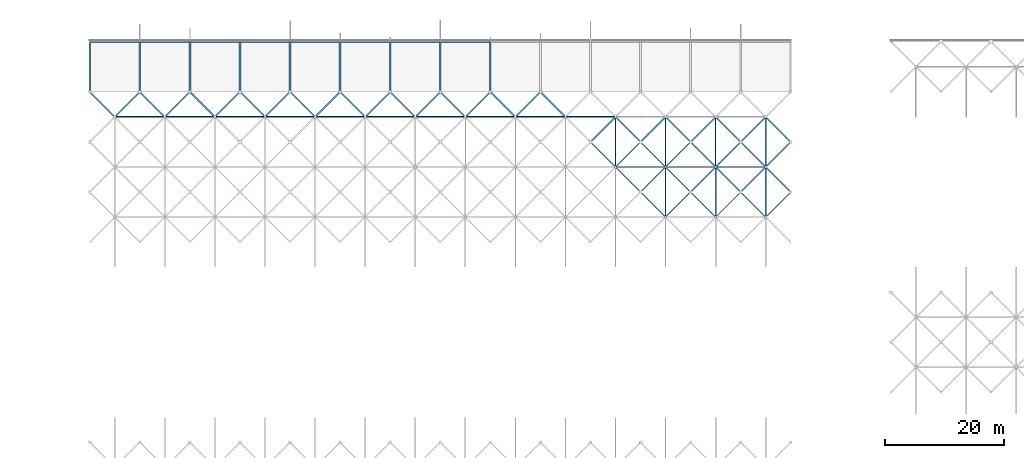
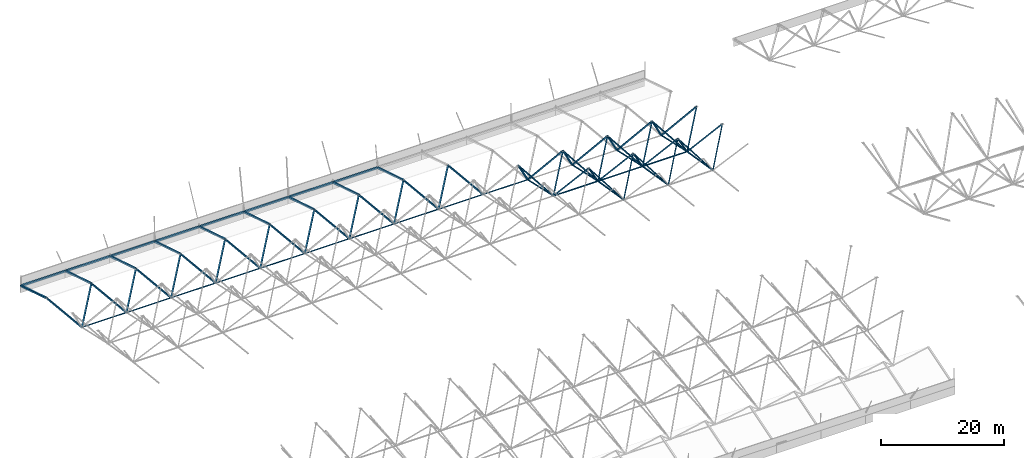
# One storey, part 22 of 85: 85 members.
"""IFC4 building model written with IfcOpenShell, lengths in metres."""

from ifc_helpers import new_model, si_unit, direction, frame, origin, origin_2d, place, context, subcontext, project, spatial, hollow_rectangle, extrude, material, material_profile, profile_set, type_object, element, save


model = new_model("IFC4")

# Units and contexts
model_context = context("Model", 3, precision=1e-05, world=origin(), true_north=direction((0.0, 1.0)))
body_context = subcontext(model_context, "Body", "Model", "MODEL_VIEW")
ifc_project = project(units=[si_unit("LENGTHUNIT", "METRE"), si_unit("AREAUNIT", "SQUARE_METRE"), si_unit("VOLUMEUNIT", "CUBIC_METRE"), si_unit("PLANEANGLEUNIT", "RADIAN"), si_unit("MASSUNIT", "GRAM", prefix="KILO")], contexts=[model_context])

# Site, building, storey
site_placement = place(None, origin())
site = spatial("IfcSite", under=ifc_project, at=site_placement, CompositionType="ELEMENT")
building_placement = place(site_placement, origin())
building = spatial("IfcBuilding", under=site, at=building_placement, Name="Rain Tree Exposition and Congress Centre", CompositionType="ELEMENT")
storey_placement = place(building_placement, frame((0.0, 0.0, 15.0)))
storey = spatial("IfcBuildingStorey", under=building, at=storey_placement, Name="L03", CompositionType="ELEMENT", Elevation=15.0)

# Members
ifc_material_1 = material(Name="Steel S355J2H", Category="steel")
ifc_material_profile_1 = material_profile(ifc_material_1, hollow_rectangle(XDim=0.175048828125, YDim=0.175048828125, WallThickness=0.006103515625, at=origin_2d()), Name="RHS 175x175x6")
ifc_profile_set_1 = profile_set([ifc_material_profile_1], Name="Steel S355J2H")
member_type_1 = type_object("IfcMemberType", Name="Steel brace member RHS 175x175x6", PredefinedType="BRACE", material=ifc_profile_set_1)
for number, where, z_axis, x_axis, name in (
    (1, (105.0, 172.199951171875, 3.974609375), (-0.531205549126, 0.531205549126, 0.660031309223), (-0.707106781187, -0.707106781187, 0.0), "Diagonal 1095"),
    (2, (105.0, 172.199951171875, 3.974609375), (0.531205549126, 0.531205549126, 0.660031309223), (-0.707106781187, 0.707106781187, 0.0), "Diagonal 1096"),
    (3, (113.39990234375, 172.199951171875, 3.974609375), (-0.531205549126, 0.531205549126, 0.660031309223), (-0.707106781187, -0.707106781187, 0.0), "Diagonal 1101"),
    (4, (113.39990234375, 172.199951171875, 3.974609375), (0.531227713919, 0.531196835768, 0.660020482738), (-0.70708622964, 0.707127332136, 0.0), "Diagonal 1102"),
    (5, (121.800048828125, 172.199951171875, 3.974609375), (-0.531205549126, 0.531205549126, 0.660031309223), (-0.707106781187, -0.707106781187, 0.0), "Diagonal 1107"),
    (6, (121.800048828125, 172.199951171875, 3.974609375), (0.531205549126, 0.531205549126, 0.660031309223), (-0.707106781187, 0.707106781187, 0.0), "Diagonal 1108"),
):
    element("IfcMember", number, at=place(storey_placement, frame(where, z_axis=z_axis, x_axis=x_axis)), inside=storey, type_object=member_type_1, Name=name, PredefinedType="BRACE", context=body_context, shape_type="SweptSolid", body=[
        extrude(hollow_rectangle(XDim=0.175048828125, YDim=0.175048828125, WallThickness=0.006103515625, at=origin_2d()), origin(), (0.0, 0.0, 1.0), 7.906494140625),
    ])
ifc_material_2 = material(Name="Steel S355J2H", Category="steel")
ifc_material_profile_2 = material_profile(ifc_material_2, hollow_rectangle(XDim=0.199951171875, YDim=0.199951171875, WallThickness=0.009033203125, at=origin_2d()), Name="RHS 200x200x9")
ifc_profile_set_2 = profile_set([ifc_material_profile_2], Name="Steel S355J2H")
member_type_2 = type_object("IfcMemberType", Name="Steel brace member RHS 200x200x9", PredefinedType="BRACE", material=ifc_profile_set_2)
member_1_placement = place(storey_placement, frame((96.60009765625, 180.60009765625, 2.593505859375), z_axis=(0.473022442189, -0.473049938698, 0.743285627928), x_axis=(0.707127332136, 0.70708622964, 0.0)))
element("IfcMember", 7, at=member_1_placement, inside=storey, type_object=member_type_2, Name="Diagonal 1171", PredefinedType="BRACE", context=body_context, shape_type="SweptSolid", body=[
    extrude(hollow_rectangle(XDim=0.199951171875, YDim=0.199951171875, WallThickness=0.009033203125, at=origin_2d()), origin(), (0.0, 0.0, 1.0), 8.87890625),
])
member_2_placement = place(storey_placement, frame((96.60009765625, 180.60009765625, 2.593505859375), z_axis=(-0.541842377579, 0.54181088244, 0.642532338119), x_axis=(-0.70708622964, -0.707127332136, 0.0)))
element("IfcMember", 8, at=member_2_placement, inside=storey, type_object=member_type_2, Name="Diagonal 1172", PredefinedType="BRACE", context=body_context, shape_type="SweptSolid", body=[
    extrude(hollow_rectangle(XDim=0.199951171875, YDim=0.199951171875, WallThickness=0.009033203125, at=origin_2d()), origin(), (0.0, 0.0, 1.0), 7.751708984375),
])
member_3_placement = place(storey_placement, frame((96.60009765625, 180.60009765625, 2.593505859375), z_axis=(0.541820128628, 0.541820128628, 0.642543303153), x_axis=(-0.707106781187, 0.707106781187, 0.0)))
element("IfcMember", 9, at=member_3_placement, inside=storey, type_object=member_type_2, Name="Diagonal 1173", PredefinedType="BRACE", context=body_context, shape_type="SweptSolid", body=[
    extrude(hollow_rectangle(XDim=0.199951171875, YDim=0.199951171875, WallThickness=0.009033203125, at=origin_2d()), origin(), (0.0, 0.0, 1.0), 7.75146484375),
])
for number, where, z_axis, x_axis, name in (
    (10, (105.0, 180.60009765625, 2.593505859375), (-0.473022442189, -0.473049938698, 0.743285627928), (0.707127332136, -0.70708622964, 0.0), "Diagonal 1176"),
    (11, (105.0, 180.60009765625, 2.593505859375), (0.473022442189, -0.473049938698, 0.743285627928), (0.707127332136, 0.70708622964, 0.0), "Diagonal 1177"),
):
    element("IfcMember", number, at=place(storey_placement, frame(where, z_axis=z_axis, x_axis=x_axis)), inside=storey, type_object=member_type_2, Name=name, PredefinedType="BRACE", context=body_context, shape_type="SweptSolid", body=[
        extrude(hollow_rectangle(XDim=0.199951171875, YDim=0.199951171875, WallThickness=0.009033203125, at=origin_2d()), origin(), (0.0, 0.0, 1.0), 8.87890625),
    ])
for number, where, z_axis, x_axis, name in (
    (12, (105.0, 180.60009765625, 2.593505859375), (-0.541820128628, 0.541820128628, 0.642543303153), (-0.707106781187, -0.707106781187, 0.0), "Diagonal 1178"),
    (13, (105.0, 180.60009765625, 2.593505859375), (0.541820128628, 0.541820128628, 0.642543303153), (-0.707106781187, 0.707106781187, 0.0), "Diagonal 1179"),
):
    element("IfcMember", number, at=place(storey_placement, frame(where, z_axis=z_axis, x_axis=x_axis)), inside=storey, type_object=member_type_2, Name=name, PredefinedType="BRACE", context=body_context, shape_type="SweptSolid", body=[
        extrude(hollow_rectangle(XDim=0.199951171875, YDim=0.199951171875, WallThickness=0.009033203125, at=origin_2d()), origin(), (0.0, 0.0, 1.0), 7.75146484375),
    ])
member_4_placement = place(storey_placement, frame((113.39990234375, 180.60009765625, 2.593505859375), z_axis=(-0.473022442189, -0.473049938698, 0.743285627928), x_axis=(0.707127332136, -0.70708622964, 0.0)))
element("IfcMember", 14, at=member_4_placement, inside=storey, type_object=member_type_2, Name="Diagonal 1182", PredefinedType="BRACE", context=body_context, shape_type="SweptSolid", body=[
    extrude(hollow_rectangle(XDim=0.199951171875, YDim=0.199951171875, WallThickness=0.009033203125, at=origin_2d()), origin(), (0.0, 0.0, 1.0), 8.87890625),
])
member_5_placement = place(storey_placement, frame((113.39990234375, 180.60009765625, 2.593505859375), z_axis=(0.473043785931, -0.473043785931, 0.743275960316), x_axis=(0.707106781187, 0.707106781187, 0.0)))
element("IfcMember", 15, at=member_5_placement, inside=storey, type_object=member_type_2, Name="Diagonal 1183", PredefinedType="BRACE", context=body_context, shape_type="SweptSolid", body=[
    extrude(hollow_rectangle(XDim=0.199951171875, YDim=0.199951171875, WallThickness=0.009033203125, at=origin_2d()), origin(), (0.0, 0.0, 1.0), 8.879150390625),
])
member_6_placement = place(storey_placement, frame((113.39990234375, 180.60009765625, 2.593505859375), z_axis=(-0.541820128628, 0.541820128628, 0.642543303153), x_axis=(-0.707106781187, -0.707106781187, 0.0)))
element("IfcMember", 16, at=member_6_placement, inside=storey, type_object=member_type_2, Name="Diagonal 1184", PredefinedType="BRACE", context=body_context, shape_type="SweptSolid", body=[
    extrude(hollow_rectangle(XDim=0.199951171875, YDim=0.199951171875, WallThickness=0.009033203125, at=origin_2d()), origin(), (0.0, 0.0, 1.0), 7.75146484375),
])
member_7_placement = place(storey_placement, frame((113.39990234375, 180.60009765625, 2.593505859375), z_axis=(0.541842377579, 0.54181088244, 0.642532338119), x_axis=(-0.70708622964, 0.707127332136, 0.0)))
element("IfcMember", 17, at=member_7_placement, inside=storey, type_object=member_type_2, Name="Diagonal 1185", PredefinedType="BRACE", context=body_context, shape_type="SweptSolid", body=[
    extrude(hollow_rectangle(XDim=0.199951171875, YDim=0.199951171875, WallThickness=0.009033203125, at=origin_2d()), origin(), (0.0, 0.0, 1.0), 7.751708984375),
])
for number, where, z_axis, x_axis, name in (
    (18, (121.800048828125, 180.60009765625, 2.593505859375), (-0.473022442189, -0.473049938698, 0.743285627928), (0.707127332136, -0.70708622964, 0.0), "Diagonal 1188"),
    (19, (121.800048828125, 180.60009765625, 2.593505859375), (0.473022442189, -0.473049938698, 0.743285627928), (0.707127332136, 0.70708622964, 0.0), "Diagonal 1189"),
):
    element("IfcMember", number, at=place(storey_placement, frame(where, z_axis=z_axis, x_axis=x_axis)), inside=storey, type_object=member_type_2, Name=name, PredefinedType="BRACE", context=body_context, shape_type="SweptSolid", body=[
        extrude(hollow_rectangle(XDim=0.199951171875, YDim=0.199951171875, WallThickness=0.009033203125, at=origin_2d()), origin(), (0.0, 0.0, 1.0), 8.87890625),
    ])
for number, where, z_axis, x_axis, name in (
    (20, (121.800048828125, 180.60009765625, 2.593505859375), (-0.541820128628, 0.541820128628, 0.642543303153), (-0.707106781187, -0.707106781187, 0.0), "Diagonal 1190"),
    (21, (121.800048828125, 180.60009765625, 2.593505859375), (0.541820128628, 0.541820128628, 0.642543303153), (-0.707106781187, 0.707106781187, 0.0), "Diagonal 1191"),
):
    element("IfcMember", number, at=place(storey_placement, frame(where, z_axis=z_axis, x_axis=x_axis)), inside=storey, type_object=member_type_2, Name=name, PredefinedType="BRACE", context=body_context, shape_type="SweptSolid", body=[
        extrude(hollow_rectangle(XDim=0.199951171875, YDim=0.199951171875, WallThickness=0.009033203125, at=origin_2d()), origin(), (0.0, 0.0, 1.0), 7.75146484375),
    ])
ifc_material_3 = material(Name="Steel S355J2H", Category="steel")
ifc_material_profile_3 = material_profile(ifc_material_3, hollow_rectangle(XDim=0.25, YDim=0.25, WallThickness=0.006103515625, at=origin_2d()), Name="RHS 250x250x6")
ifc_profile_set_3 = profile_set([ifc_material_profile_3], Name="Steel S355J2H")
member_type_3 = type_object("IfcMemberType", Name="Steel brace member RHS 250x250x6", PredefinedType="BRACE", material=ifc_profile_set_3)
member_8_placement = place(storey_placement, frame((12.60009765625, 189.0, 0.732666015625), z_axis=(-0.552977009953, 0.552944867602, 0.623272332016), x_axis=(-0.70708622964, -0.707127332136, 0.0)))
element("IfcMember", 22, at=member_8_placement, inside=storey, type_object=member_type_3, Name="Diagonal 1195", PredefinedType="BRACE", context=body_context, shape_type="SweptSolid", body=[
    extrude(hollow_rectangle(XDim=0.25, YDim=0.25, WallThickness=0.006103515625, at=origin_2d()), origin(), (0.0, 0.0, 1.0), 7.595703125),
])
for number, where, z_axis, x_axis, name in (
    (23, (12.60009765625, 189.0, 0.732666015625), (0.55295469561, 0.55295469561, 0.62328341002), (-0.707106781187, 0.707106781187, 0.0), "Diagonal 1196"),
    (24, (21.0, 189.0, 0.732666015625), (-0.55295469561, 0.55295469561, 0.62328341002), (-0.707106781187, -0.707106781187, 0.0), "Diagonal 1201"),
    (25, (21.0, 189.0, 0.732666015625), (0.55295469561, 0.55295469561, 0.62328341002), (-0.707106781187, 0.707106781187, 0.0), "Diagonal 1202"),
    (26, (29.39990234375, 189.0, 0.732666015625), (-0.55295469561, 0.55295469561, 0.62328341002), (-0.707106781187, -0.707106781187, 0.0), "Diagonal 1207"),
):
    element("IfcMember", number, at=place(storey_placement, frame(where, z_axis=z_axis, x_axis=x_axis)), inside=storey, type_object=member_type_3, Name=name, PredefinedType="BRACE", context=body_context, shape_type="SweptSolid", body=[
        extrude(hollow_rectangle(XDim=0.25, YDim=0.25, WallThickness=0.006103515625, at=origin_2d()), origin(), (0.0, 0.0, 1.0), 7.595458984375),
    ])
member_9_placement = place(storey_placement, frame((29.39990234375, 189.0, 0.732666015625), z_axis=(0.552977009953, 0.552944867602, 0.623272332016), x_axis=(-0.70708622964, 0.707127332136, 0.0)))
element("IfcMember", 27, at=member_9_placement, inside=storey, type_object=member_type_3, Name="Diagonal 1208", PredefinedType="BRACE", context=body_context, shape_type="SweptSolid", body=[
    extrude(hollow_rectangle(XDim=0.25, YDim=0.25, WallThickness=0.006103515625, at=origin_2d()), origin(), (0.0, 0.0, 1.0), 7.595703125),
])
for number, where, z_axis, x_axis, name in (
    (28, (37.800048828125, 189.0, 0.732666015625), (-0.55295469561, 0.55295469561, 0.62328341002), (-0.707106781187, -0.707106781187, 0.0), "Diagonal 1213"),
    (29, (37.800048828125, 189.0, 0.732666015625), (0.55295469561, 0.55295469561, 0.62328341002), (-0.707106781187, 0.707106781187, 0.0), "Diagonal 1214"),
    (30, (46.199951171875, 189.0, 0.732666015625), (-0.55295469561, 0.55295469561, 0.62328341002), (-0.707106781187, -0.707106781187, 0.0), "Diagonal 1219"),
    (31, (46.199951171875, 189.0, 0.732666015625), (0.55295469561, 0.55295469561, 0.62328341002), (-0.707106781187, 0.707106781187, 0.0), "Diagonal 1220"),
):
    element("IfcMember", number, at=place(storey_placement, frame(where, z_axis=z_axis, x_axis=x_axis)), inside=storey, type_object=member_type_3, Name=name, PredefinedType="BRACE", context=body_context, shape_type="SweptSolid", body=[
        extrude(hollow_rectangle(XDim=0.25, YDim=0.25, WallThickness=0.006103515625, at=origin_2d()), origin(), (0.0, 0.0, 1.0), 7.595458984375),
    ])
member_10_placement = place(storey_placement, frame((54.60009765625, 189.0, 0.732666015625), z_axis=(-0.552977009953, 0.552944867602, 0.623272332016), x_axis=(-0.70708622964, -0.707127332136, 0.0)))
element("IfcMember", 32, at=member_10_placement, inside=storey, type_object=member_type_3, Name="Diagonal 1225", PredefinedType="BRACE", context=body_context, shape_type="SweptSolid", body=[
    extrude(hollow_rectangle(XDim=0.25, YDim=0.25, WallThickness=0.006103515625, at=origin_2d()), origin(), (0.0, 0.0, 1.0), 7.595703125),
])
for number, where, z_axis, x_axis, name in (
    (33, (54.60009765625, 189.0, 0.732666015625), (0.55295469561, 0.55295469561, 0.62328341002), (-0.707106781187, 0.707106781187, 0.0), "Diagonal 1226"),
    (34, (63.0, 189.0, 0.732666015625), (-0.55295469561, 0.55295469561, 0.62328341002), (-0.707106781187, -0.707106781187, 0.0), "Diagonal 1231"),
    (35, (63.0, 189.0, 0.732666015625), (0.55295469561, 0.55295469561, 0.62328341002), (-0.707106781187, 0.707106781187, 0.0), "Diagonal 1232"),
    (36, (71.39990234375, 189.0, 0.732666015625), (-0.55295469561, 0.55295469561, 0.62328341002), (-0.707106781187, -0.707106781187, 0.0), "Diagonal 1237"),
):
    element("IfcMember", number, at=place(storey_placement, frame(where, z_axis=z_axis, x_axis=x_axis)), inside=storey, type_object=member_type_3, Name=name, PredefinedType="BRACE", context=body_context, shape_type="SweptSolid", body=[
        extrude(hollow_rectangle(XDim=0.25, YDim=0.25, WallThickness=0.006103515625, at=origin_2d()), origin(), (0.0, 0.0, 1.0), 7.595458984375),
    ])
member_11_placement = place(storey_placement, frame((71.39990234375, 189.0, 0.732666015625), z_axis=(0.552977009953, 0.552944867602, 0.623272332016), x_axis=(-0.70708622964, 0.707127332136, 0.0)))
element("IfcMember", 37, at=member_11_placement, inside=storey, type_object=member_type_3, Name="Diagonal 1238", PredefinedType="BRACE", context=body_context, shape_type="SweptSolid", body=[
    extrude(hollow_rectangle(XDim=0.25, YDim=0.25, WallThickness=0.006103515625, at=origin_2d()), origin(), (0.0, 0.0, 1.0), 7.595703125),
])
for number, where, z_axis, x_axis, name in (
    (38, (79.800048828125, 189.0, 0.732666015625), (-0.55295469561, 0.55295469561, 0.62328341002), (-0.707106781187, -0.707106781187, 0.0), "Diagonal 1243"),
    (39, (79.800048828125, 189.0, 0.732666015625), (0.55295469561, 0.55295469561, 0.62328341002), (-0.707106781187, 0.707106781187, 0.0), "Diagonal 1244"),
    (40, (88.199951171875, 189.0, 0.732666015625), (-0.55295469561, 0.55295469561, 0.62328341002), (-0.707106781187, -0.707106781187, 0.0), "Diagonal 1249"),
):
    element("IfcMember", number, at=place(storey_placement, frame(where, z_axis=z_axis, x_axis=x_axis)), inside=storey, type_object=member_type_3, Name=name, PredefinedType="BRACE", context=body_context, shape_type="SweptSolid", body=[
        extrude(hollow_rectangle(XDim=0.25, YDim=0.25, WallThickness=0.006103515625, at=origin_2d()), origin(), (0.0, 0.0, 1.0), 7.595458984375),
    ])
member_12_placement = place(storey_placement, frame((96.60009765625, 189.0, 0.732666015625), z_axis=(-0.463585081915, -0.46355813556, 0.755117690682), x_axis=(0.70708622964, -0.707127332136, 0.0)))
element("IfcMember", 41, at=member_12_placement, inside=storey, type_object=member_type_3, Name="Diagonal 1253", PredefinedType="BRACE", context=body_context, shape_type="SweptSolid", body=[
    extrude(hollow_rectangle(XDim=0.25, YDim=0.25, WallThickness=0.006103515625, at=origin_2d()), origin(), (0.0, 0.0, 1.0), 9.060302734375),
])
for number, where, z_axis, x_axis, name in (
    (42, (96.60009765625, 189.0, 0.732666015625), (0.463563926235, -0.463563926235, 0.755127123461), (0.707106781187, 0.707106781187, 0.0), "Diagonal 1254"),
    (43, (105.0, 189.0, 0.732666015625), (-0.463563926235, -0.463563926235, 0.755127123461), (0.707106781187, -0.707106781187, 0.0), "Diagonal 1259"),
    (44, (105.0, 189.0, 0.732666015625), (0.463563926235, -0.463563926235, 0.755127123461), (0.707106781187, 0.707106781187, 0.0), "Diagonal 1260"),
    (45, (113.39990234375, 189.0, 0.732666015625), (-0.463563926235, -0.463563926235, 0.755127123461), (0.707106781187, -0.707106781187, 0.0), "Diagonal 1265"),
):
    element("IfcMember", number, at=place(storey_placement, frame(where, z_axis=z_axis, x_axis=x_axis)), inside=storey, type_object=member_type_3, Name=name, PredefinedType="BRACE", context=body_context, shape_type="SweptSolid", body=[
        extrude(hollow_rectangle(XDim=0.25, YDim=0.25, WallThickness=0.006103515625, at=origin_2d()), origin(), (0.0, 0.0, 1.0), 9.06005859375),
    ])
member_13_placement = place(storey_placement, frame((113.39990234375, 189.0, 0.732666015625), z_axis=(0.463585081915, -0.46355813556, 0.755117690682), x_axis=(0.70708622964, 0.707127332136, 0.0)))
element("IfcMember", 46, at=member_13_placement, inside=storey, type_object=member_type_3, Name="Diagonal 1266", PredefinedType="BRACE", context=body_context, shape_type="SweptSolid", body=[
    extrude(hollow_rectangle(XDim=0.25, YDim=0.25, WallThickness=0.006103515625, at=origin_2d()), origin(), (0.0, 0.0, 1.0), 9.060302734375),
])
for number, where, z_axis, x_axis, name in (
    (47, (121.800048828125, 189.0, 0.732666015625), (-0.463563926235, -0.463563926235, 0.755127123461), (0.707106781187, -0.707106781187, 0.0), "Diagonal 1271"),
    (48, (121.800048828125, 189.0, 0.732666015625), (0.463563926235, -0.463563926235, 0.755127123461), (0.707106781187, 0.707106781187, 0.0), "Diagonal 1272"),
):
    element("IfcMember", number, at=place(storey_placement, frame(where, z_axis=z_axis, x_axis=x_axis)), inside=storey, type_object=member_type_3, Name=name, PredefinedType="BRACE", context=body_context, shape_type="SweptSolid", body=[
        extrude(hollow_rectangle(XDim=0.25, YDim=0.25, WallThickness=0.006103515625, at=origin_2d()), origin(), (0.0, 0.0, 1.0), 9.06005859375),
    ])
ifc_material_4 = material(Name="Steel S355J2H", Category="steel")
ifc_material_profile_4 = material_profile(ifc_material_4, hollow_rectangle(XDim=0.14990234375, YDim=0.14990234375, WallThickness=0.00439453125, at=origin_2d()), Name="RHS 150x150x4.5")
ifc_profile_set_4 = profile_set([ifc_material_profile_4], Name="Steel S355J2H")
member_type_4 = type_object("IfcMemberType", Name="Steel chord member RHS 150x150x4.5", PredefinedType="CHORD", material=ifc_profile_set_4)
for number, where, z_axis, x_axis, name in (
    (49, (12.60009765625, 189.0, 0.732666015625), (1.0, 0.0, 0.0), (0.0, 1.0, 0.0), "Bottom chord 1197"),
    (50, (21.0, 189.0, 0.732666015625), (1.0, 0.0, 0.0), (0.0, 1.0, 0.0), "Bottom chord 1203"),
):
    element("IfcMember", number, at=place(storey_placement, frame(where, z_axis=z_axis, x_axis=x_axis)), inside=storey, type_object=member_type_4, Name=name, PredefinedType="CHORD", context=body_context, shape_type="SweptSolid", body=[
        extrude(hollow_rectangle(XDim=0.14990234375, YDim=0.14990234375, WallThickness=0.00439453125, at=origin_2d()), origin(), (0.0, 0.0, 1.0), 8.39990234375),
    ])
member_14_placement = place(storey_placement, frame((29.39990234375, 189.0, 0.732666015625), z_axis=(1.0, 0.0, 0.0), x_axis=(0.0, 1.0, 0.0)))
element("IfcMember", 51, at=member_14_placement, inside=storey, type_object=member_type_4, Name="Bottom chord 1209", PredefinedType="CHORD", context=body_context, shape_type="SweptSolid", body=[
    extrude(hollow_rectangle(XDim=0.14990234375, YDim=0.14990234375, WallThickness=0.00439453125, at=origin_2d()), origin(), (0.0, 0.0, 1.0), 8.400146484375),
])
member_15_placement = place(storey_placement, frame((37.800048828125, 189.0, 0.732666015625), z_axis=(1.0, 0.0, 0.0), x_axis=(0.0, 1.0, 0.0)))
element("IfcMember", 52, at=member_15_placement, inside=storey, type_object=member_type_4, Name="Bottom chord 1215", PredefinedType="CHORD", context=body_context, shape_type="SweptSolid", body=[
    extrude(hollow_rectangle(XDim=0.14990234375, YDim=0.14990234375, WallThickness=0.00439453125, at=origin_2d()), origin(), (0.0, 0.0, 1.0), 8.39990234375),
])
member_16_placement = place(storey_placement, frame((46.199951171875, 189.0, 0.732666015625), z_axis=(1.0, 0.0, 0.0), x_axis=(0.0, 1.0, 0.0)))
element("IfcMember", 53, at=member_16_placement, inside=storey, type_object=member_type_4, Name="Bottom chord 1221", PredefinedType="CHORD", context=body_context, shape_type="SweptSolid", body=[
    extrude(hollow_rectangle(XDim=0.14990234375, YDim=0.14990234375, WallThickness=0.00439453125, at=origin_2d()), origin(), (0.0, 0.0, 1.0), 8.400146484375),
])
for number, where, z_axis, x_axis, name in (
    (54, (54.60009765625, 189.0, 0.732666015625), (1.0, 0.0, 0.0), (0.0, 1.0, 0.0), "Bottom chord 1227"),
    (55, (63.0, 189.0, 0.732666015625), (1.0, 0.0, 0.0), (0.0, 1.0, 0.0), "Bottom chord 1233"),
):
    element("IfcMember", number, at=place(storey_placement, frame(where, z_axis=z_axis, x_axis=x_axis)), inside=storey, type_object=member_type_4, Name=name, PredefinedType="CHORD", context=body_context, shape_type="SweptSolid", body=[
        extrude(hollow_rectangle(XDim=0.14990234375, YDim=0.14990234375, WallThickness=0.00439453125, at=origin_2d()), origin(), (0.0, 0.0, 1.0), 8.39990234375),
    ])
member_17_placement = place(storey_placement, frame((71.39990234375, 189.0, 0.732666015625), z_axis=(1.0, 0.0, 0.0), x_axis=(0.0, 1.0, 0.0)))
element("IfcMember", 56, at=member_17_placement, inside=storey, type_object=member_type_4, Name="Bottom chord 1239", PredefinedType="CHORD", context=body_context, shape_type="SweptSolid", body=[
    extrude(hollow_rectangle(XDim=0.14990234375, YDim=0.14990234375, WallThickness=0.00439453125, at=origin_2d()), origin(), (0.0, 0.0, 1.0), 8.400146484375),
])
member_18_placement = place(storey_placement, frame((79.800048828125, 189.0, 0.732666015625), z_axis=(1.0, 0.0, 0.0), x_axis=(0.0, 1.0, 0.0)))
element("IfcMember", 57, at=member_18_placement, inside=storey, type_object=member_type_4, Name="Bottom chord 1245", PredefinedType="CHORD", context=body_context, shape_type="SweptSolid", body=[
    extrude(hollow_rectangle(XDim=0.14990234375, YDim=0.14990234375, WallThickness=0.00439453125, at=origin_2d()), origin(), (0.0, 0.0, 1.0), 8.39990234375),
])
member_19_placement = place(storey_placement, frame((88.199951171875, 189.0, 0.732666015625), z_axis=(1.0, 0.0, 0.0), x_axis=(0.0, 1.0, 0.0)))
element("IfcMember", 58, at=member_19_placement, inside=storey, type_object=member_type_4, Name="Bottom chord 1251", PredefinedType="CHORD", context=body_context, shape_type="SweptSolid", body=[
    extrude(hollow_rectangle(XDim=0.14990234375, YDim=0.14990234375, WallThickness=0.00439453125, at=origin_2d()), origin(), (0.0, 0.0, 1.0), 8.400146484375),
])
ifc_material_5 = material(Name="Steel S355J2H", Category="steel")
ifc_material_profile_5 = material_profile(ifc_material_5, hollow_rectangle(XDim=0.175048828125, YDim=0.175048828125, WallThickness=0.006103515625, at=origin_2d()), Name="RHS 175x175x6")
ifc_profile_set_5 = profile_set([ifc_material_profile_5], Name="Steel S355J2H")
member_type_5 = type_object("IfcMemberType", Name="Steel chord member RHS 175x175x6", PredefinedType="CHORD", material=ifc_profile_set_5)
member_20_placement = place(storey_placement, frame((96.60009765625, 180.60009765625, 2.593505859375), z_axis=(1.0, 0.0, 0.0), x_axis=(0.0, 1.0, 0.0)))
element("IfcMember", 59, at=member_20_placement, inside=storey, type_object=member_type_5, Name="Bottom chord 1174", PredefinedType="CHORD", context=body_context, shape_type="SweptSolid", body=[
    extrude(hollow_rectangle(XDim=0.175048828125, YDim=0.175048828125, WallThickness=0.006103515625, at=origin_2d()), origin(), (0.0, 0.0, 1.0), 8.39990234375),
])
member_21_placement = place(storey_placement, frame((96.60009765625, 180.60009765625, 2.593505859375), z_axis=(0.0, 0.976329733604, -0.21628742747), x_axis=(-1.0, 0.0, 0.0)))
element("IfcMember", 60, at=member_21_placement, inside=storey, type_object=member_type_5, Name="Bottom chord 1175", PredefinedType="CHORD", context=body_context, shape_type="SweptSolid", body=[
    extrude(hollow_rectangle(XDim=0.175048828125, YDim=0.175048828125, WallThickness=0.006103515625, at=origin_2d()), origin(), (0.0, 0.0, 1.0), 8.603515625),
])
member_22_placement = place(storey_placement, frame((105.0, 180.60009765625, 2.593505859375), z_axis=(1.0, 0.0, 0.0), x_axis=(0.0, 1.0, 0.0)))
element("IfcMember", 61, at=member_22_placement, inside=storey, type_object=member_type_5, Name="Bottom chord 1180", PredefinedType="CHORD", context=body_context, shape_type="SweptSolid", body=[
    extrude(hollow_rectangle(XDim=0.175048828125, YDim=0.175048828125, WallThickness=0.006103515625, at=origin_2d()), origin(), (0.0, 0.0, 1.0), 8.39990234375),
])
member_23_placement = place(storey_placement, frame((105.0, 180.60009765625, 2.593505859375), z_axis=(0.0, 0.976329733604, -0.21628742747), x_axis=(-1.0, 0.0, 0.0)))
element("IfcMember", 62, at=member_23_placement, inside=storey, type_object=member_type_5, Name="Bottom chord 1181", PredefinedType="CHORD", context=body_context, shape_type="SweptSolid", body=[
    extrude(hollow_rectangle(XDim=0.175048828125, YDim=0.175048828125, WallThickness=0.006103515625, at=origin_2d()), origin(), (0.0, 0.0, 1.0), 8.603515625),
])
member_24_placement = place(storey_placement, frame((113.39990234375, 180.60009765625, 2.593505859375), z_axis=(1.0, 0.0, 0.0), x_axis=(0.0, 1.0, 0.0)))
element("IfcMember", 63, at=member_24_placement, inside=storey, type_object=member_type_5, Name="Bottom chord 1186", PredefinedType="CHORD", context=body_context, shape_type="SweptSolid", body=[
    extrude(hollow_rectangle(XDim=0.175048828125, YDim=0.175048828125, WallThickness=0.006103515625, at=origin_2d()), origin(), (0.0, 0.0, 1.0), 8.400146484375),
])
for number, where, z_axis, x_axis, name in (
    (64, (113.39990234375, 180.60009765625, 2.593505859375), (0.0, 0.976329733604, -0.21628742747), (-1.0, 0.0, 0.0), "Bottom chord 1187"),
    (65, (121.800048828125, 180.60009765625, 2.593505859375), (0.0, 0.976329733604, -0.21628742747), (-1.0, 0.0, 0.0), "Bottom chord 1192"),
):
    element("IfcMember", number, at=place(storey_placement, frame(where, z_axis=z_axis, x_axis=x_axis)), inside=storey, type_object=member_type_5, Name=name, PredefinedType="CHORD", context=body_context, shape_type="SweptSolid", body=[
        extrude(hollow_rectangle(XDim=0.175048828125, YDim=0.175048828125, WallThickness=0.006103515625, at=origin_2d()), origin(), (0.0, 0.0, 1.0), 8.603515625),
    ])
ifc_material_6 = material(Name="Steel S355J2H", Category="steel")
ifc_material_profile_6 = material_profile(ifc_material_6, hollow_rectangle(XDim=0.199951171875, YDim=0.199951171875, WallThickness=0.009033203125, at=origin_2d()), Name="RHS 200x200x9")
ifc_profile_set_6 = profile_set([ifc_material_profile_6], Name="Steel S355J2H")
member_type_6 = type_object("IfcMemberType", Name="Steel chord member RHS 200x200x9", PredefinedType="CHORD", material=ifc_profile_set_6)
for number, where, z_axis, x_axis, name in (
    (66, (105.0, 172.199951171875, 3.974609375), (0.0, 0.986751976232, -0.162236054569), (-1.0, 0.0, 0.0), "Bottom chord 1098"),
    (67, (113.39990234375, 172.199951171875, 3.974609375), (0.0, 0.986751976232, -0.162236054569), (-1.0, 0.0, 0.0), "Bottom chord 1104"),
    (68, (121.800048828125, 172.199951171875, 3.974609375), (0.0, 0.986751976232, -0.162236054569), (-1.0, 0.0, 0.0), "Bottom chord 1109"),
):
    element("IfcMember", number, at=place(storey_placement, frame(where, z_axis=z_axis, x_axis=x_axis)), inside=storey, type_object=member_type_6, Name=name, PredefinedType="CHORD", context=body_context, shape_type="SweptSolid", body=[
        extrude(hollow_rectangle(XDim=0.199951171875, YDim=0.199951171875, WallThickness=0.009033203125, at=origin_2d()), origin(), (0.0, 0.0, 1.0), 8.512939453125),
    ])
ifc_material_7 = material(Name="Steel S355J2H", Category="steel")
ifc_material_profile_7 = material_profile(ifc_material_7, hollow_rectangle(XDim=0.300048828125, YDim=0.300048828125, WallThickness=0.009033203125, at=origin_2d()), Name="RHS 300x300x9")
ifc_profile_set_7 = profile_set([ifc_material_profile_7], Name="Steel S355J2H")
member_type_7 = type_object("IfcMemberType", Name="Steel chord member RHS 300x300x9", PredefinedType="CHORD", material=ifc_profile_set_7)
member_25_placement = place(storey_placement, frame((8.39990234375, 201.60009765625, 2.85009765625), z_axis=(1.0, 0.0, 0.0), x_axis=(0.0, 1.0, 0.0)))
element("IfcMember", 69, at=member_25_placement, inside=storey, type_object=member_type_7, Name="Top chord 169", PredefinedType="CHORD", context=body_context, shape_type="SweptSolid", body=[
    extrude(hollow_rectangle(XDim=0.300048828125, YDim=0.300048828125, WallThickness=0.009033203125, at=origin_2d()), origin(), (0.0, 0.0, 1.0), 8.400146484375),
])
member_26_placement = place(storey_placement, frame((16.800048828125, 201.60009765625, 2.85009765625), z_axis=(1.0, 0.0, 0.0), x_axis=(0.0, 1.0, 0.0)))
element("IfcMember", 70, at=member_26_placement, inside=storey, type_object=member_type_7, Name="Top chord 170", PredefinedType="CHORD", context=body_context, shape_type="SweptSolid", body=[
    extrude(hollow_rectangle(XDim=0.300048828125, YDim=0.300048828125, WallThickness=0.009033203125, at=origin_2d()), origin(), (0.0, 0.0, 1.0), 8.39990234375),
])
member_27_placement = place(storey_placement, frame((25.199951171875, 201.60009765625, 2.85009765625), z_axis=(1.0, 0.0, 0.0), x_axis=(0.0, 1.0, 0.0)))
element("IfcMember", 71, at=member_27_placement, inside=storey, type_object=member_type_7, Name="Top chord 171", PredefinedType="CHORD", context=body_context, shape_type="SweptSolid", body=[
    extrude(hollow_rectangle(XDim=0.300048828125, YDim=0.300048828125, WallThickness=0.009033203125, at=origin_2d()), origin(), (0.0, 0.0, 1.0), 8.400146484375),
])
for number, where, z_axis, x_axis, name in (
    (72, (33.60009765625, 201.60009765625, 2.85009765625), (1.0, 0.0, 0.0), (0.0, 1.0, 0.0), "Top chord 172"),
    (73, (42.0, 201.60009765625, 2.85009765625), (1.0, 0.0, 0.0), (0.0, 1.0, 0.0), "Top chord 173"),
):
    element("IfcMember", number, at=place(storey_placement, frame(where, z_axis=z_axis, x_axis=x_axis)), inside=storey, type_object=member_type_7, Name=name, PredefinedType="CHORD", context=body_context, shape_type="SweptSolid", body=[
        extrude(hollow_rectangle(XDim=0.300048828125, YDim=0.300048828125, WallThickness=0.009033203125, at=origin_2d()), origin(), (0.0, 0.0, 1.0), 8.39990234375),
    ])
member_28_placement = place(storey_placement, frame((50.39990234375, 201.60009765625, 2.85009765625), z_axis=(1.0, 0.0, 0.0), x_axis=(0.0, 1.0, 0.0)))
element("IfcMember", 74, at=member_28_placement, inside=storey, type_object=member_type_7, Name="Top chord 174", PredefinedType="CHORD", context=body_context, shape_type="SweptSolid", body=[
    extrude(hollow_rectangle(XDim=0.300048828125, YDim=0.300048828125, WallThickness=0.009033203125, at=origin_2d()), origin(), (0.0, 0.0, 1.0), 8.400146484375),
])
member_29_placement = place(storey_placement, frame((58.800048828125, 201.60009765625, 2.85009765625), z_axis=(1.0, 0.0, 0.0), x_axis=(0.0, 1.0, 0.0)))
element("IfcMember", 75, at=member_29_placement, inside=storey, type_object=member_type_7, Name="Top chord 175", PredefinedType="CHORD", context=body_context, shape_type="SweptSolid", body=[
    extrude(hollow_rectangle(XDim=0.300048828125, YDim=0.300048828125, WallThickness=0.009033203125, at=origin_2d()), origin(), (0.0, 0.0, 1.0), 8.39990234375),
])
member_30_placement = place(storey_placement, frame((67.199951171875, 201.60009765625, 2.85009765625), z_axis=(1.0, 0.0, 0.0), x_axis=(0.0, 1.0, 0.0)))
element("IfcMember", 76, at=member_30_placement, inside=storey, type_object=member_type_7, Name="Top chord 176", PredefinedType="CHORD", context=body_context, shape_type="SweptSolid", body=[
    extrude(hollow_rectangle(XDim=0.300048828125, YDim=0.300048828125, WallThickness=0.009033203125, at=origin_2d()), origin(), (0.0, 0.0, 1.0), 8.400146484375),
])
for number, where, z_axis, x_axis, name in (
    (77, (8.39990234375, 193.199951171875, 5.466796875), (0.0, 0.954749667557, -0.297410612285), (-1.0, 0.0, 0.0), "Top chord 194"),
    (78, (16.800048828125, 193.199951171875, 5.466796875), (0.0, 0.954749667557, -0.297410612285), (-1.0, 0.0, 0.0), "Top chord 206"),
    (79, (25.199951171875, 193.199951171875, 5.466796875), (0.0, 0.954749667557, -0.297410612285), (-1.0, 0.0, 0.0), "Top chord 218"),
    (80, (33.60009765625, 193.199951171875, 5.466796875), (0.0, 0.954749667557, -0.297410612285), (-1.0, 0.0, 0.0), "Top chord 230"),
    (81, (42.0, 193.199951171875, 5.466796875), (0.0, 0.954749667557, -0.297410612285), (-1.0, 0.0, 0.0), "Top chord 242"),
    (82, (50.39990234375, 193.199951171875, 5.466796875), (0.0, 0.954749667557, -0.297410612285), (-1.0, 0.0, 0.0), "Top chord 254"),
    (83, (58.800048828125, 193.199951171875, 5.466796875), (0.0, 0.954749667557, -0.297410612285), (-1.0, 0.0, 0.0), "Top chord 266"),
    (84, (67.199951171875, 193.199951171875, 5.466796875), (0.0, 0.954749667557, -0.297410612285), (-1.0, 0.0, 0.0), "Top chord 278"),
    (85, (75.60009765625, 193.199951171875, 5.466796875), (0.0, 0.954749667557, -0.297410612285), (-1.0, 0.0, 0.0), "Top chord 290"),
):
    element("IfcMember", number, at=place(storey_placement, frame(where, z_axis=z_axis, x_axis=x_axis)), inside=storey, type_object=member_type_7, Name=name, PredefinedType="CHORD", context=body_context, shape_type="SweptSolid", body=[
        extrude(hollow_rectangle(XDim=0.300048828125, YDim=0.300048828125, WallThickness=0.009033203125, at=origin_2d()), origin(), (0.0, 0.0, 1.0), 8.79833984375),
    ])

save(model, "model.ifc")
